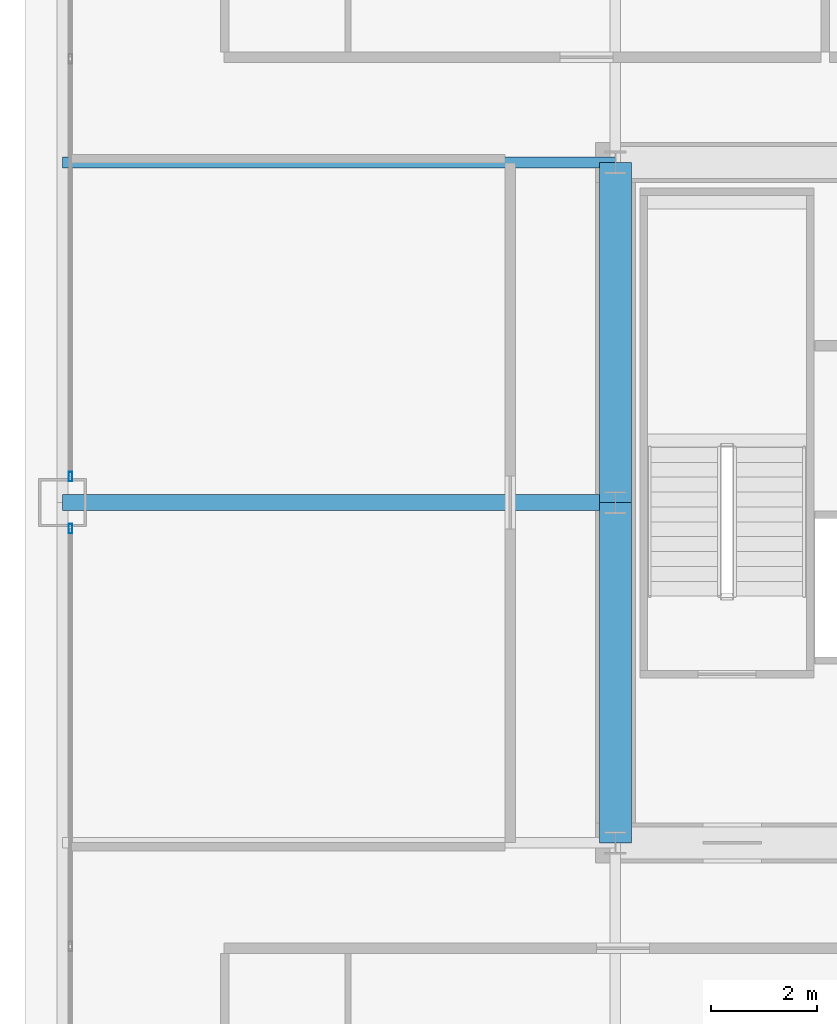
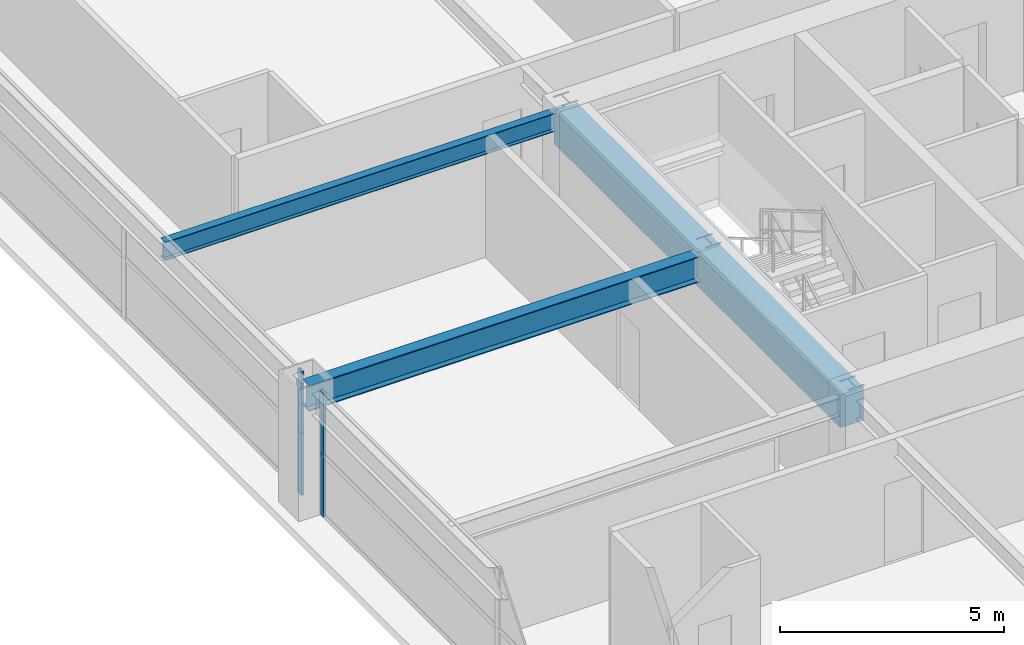
# One storey, part 11 of 37: 4 beams, 4 members, 2 elements without a shape of their own.
"""IFC4 building model written with IfcOpenShell, lengths in metres."""

from ifc_helpers import new_model, si_unit, direction, frame, origin, origin_2d, place, context, subcontext, project, spatial, rectangle, hollow_rectangle, i_section, extrude, source, transform, mapped, material, layer, layer_set, material_profile, profile_set, type_object, element, aggregate, save


model = new_model("IFC4")

# Units and contexts
model_context = context("Model", 3, precision=1e-05, world=origin(), true_north=direction((0.0, 1.0)))
body_context = subcontext(model_context, "Body", "Model", "MODEL_VIEW")
ifc_project = project(units=[si_unit("LENGTHUNIT", "METRE"), si_unit("AREAUNIT", "SQUARE_METRE"), si_unit("VOLUMEUNIT", "CUBIC_METRE"), si_unit("PLANEANGLEUNIT", "RADIAN"), si_unit("MASSUNIT", "GRAM", prefix="KILO"), si_unit("THERMODYNAMICTEMPERATUREUNIT", "KELVIN"), si_unit("POWERUNIT", "WATT")], contexts=[model_context])

# Site, building, storey
site_placement = place(None, origin())
site = spatial("IfcSite", under=ifc_project, at=site_placement, CompositionType="ELEMENT")
building_placement = place(site_placement, origin())
building = spatial("IfcBuilding", under=site, at=building_placement, Name="Yuzanri Waterfront Tower", CompositionType="ELEMENT")
storey_placement = place(building_placement, frame((0.0, 0.0, 104.60009765625)))
storey = spatial("IfcBuildingStorey", under=building, at=storey_placement, Name="L27", CompositionType="ELEMENT", Elevation=104.60009765625)

# Beams
ifc_material_1 = material(Name="Concrete C60", Category="concrete")
ifc_material_profile_1 = material_profile(ifc_material_1, rectangle(XDim=0.60009765625, YDim=0.89990234375, at=origin_2d()), Name="RC 600x900")
ifc_profile_set_1 = profile_set([ifc_material_profile_1], Name="Concrete C60")
beam_type_1 = type_object("IfcBeamType", Name="Core Coupling Lintel Concrete C60 600x900", PredefinedType="LINTEL", material=ifc_profile_set_1)
shared_shape_1 = source(origin(), body_context, "Body", "SweptSolid", [
    extrude(rectangle(XDim=0.60009765625, YDim=0.89990234375, at=origin_2d()), origin(), (0.0, 0.0, 1.0), 6.400146484375),
])
beam_1_placement = place(storey_placement, frame((23.800048828125, 19.39990234375, 2.929931640625), z_axis=(0.0, 1.0, 0.0), x_axis=(-1.0, 0.0, 0.0)))
element("IfcBeam", 1, at=beam_1_placement, inside=storey, type_object=beam_type_1, Name="L27 Core Tie Beam CW1", PredefinedType="LINTEL", context=body_context, shape_type="MappedRepresentation", body=[
    mapped(shared_shape_1, transform((0.0, 0.0, 0.0), scale=1.0)),
])
shared_shape_2 = source(origin(), body_context, "Body", "SweptSolid", [
    extrude(rectangle(XDim=0.60009765625, YDim=0.89990234375, at=origin_2d()), origin(), (0.0, 0.0, 1.0), 6.39990234375),
])
beam_2_placement = place(storey_placement, frame((23.800048828125, 25.800048828125, 2.929931640625), z_axis=(0.0, 1.0, 0.0), x_axis=(-1.0, 0.0, 0.0)))
element("IfcBeam", 2, at=beam_2_placement, inside=storey, type_object=beam_type_1, Name="L27 Core Tie Beam CW2", PredefinedType="LINTEL", context=body_context, shape_type="MappedRepresentation", body=[
    mapped(shared_shape_2, transform((0.0, 0.0, 0.0), scale=1.0)),
])
ifc_material_2 = material(Name="Steel Q355B", Category="steel")
ifc_material_profile_2 = material_profile(ifc_material_2, i_section(OverallWidth=0.300048828125, OverallDepth=0.699951171875, WebThickness=0.012939453125, FlangeThickness=0.02392578125, at=origin_2d()), Name="HN 700x300x13x24")
ifc_profile_set_2 = profile_set([ifc_material_profile_2], Name="Steel Q355B")
beam_type_2 = type_object("IfcBeamType", Name="Primary Floor Girder Q355B HN 700x300", PredefinedType="BEAM", material=ifc_profile_set_2)
shared_shape_3 = source(origin(), body_context, "Body", "SweptSolid", [
    extrude(i_section(OverallWidth=0.300048828125, OverallDepth=0.699951171875, WebThickness=0.012939453125, FlangeThickness=0.02392578125, at=origin_2d()), origin(), (0.0, 0.0, 1.0), 10.400146484375),
])
beam_3_placement = place(storey_placement, frame((23.800048828125, 25.800048828125, 3.02978515625), z_axis=(-1.0, 0.0, 0.0), x_axis=(0.0, -1.0, 0.0)))
element("IfcBeam", 3, at=beam_3_placement, inside=storey, type_object=beam_type_2, Name="L27 West Grid Girder", PredefinedType="BEAM", context=body_context, shape_type="MappedRepresentation", body=[
    mapped(shared_shape_3, transform((0.0, 0.0, 0.0), scale=1.0)),
])
ifc_material_3 = material(Name="Steel Q355B", Category="steel")
ifc_material_profile_3 = material_profile(ifc_material_3, i_section(OverallWidth=0.199951171875, OverallDepth=0.5, WebThickness=0.010009765625, FlangeThickness=0.01611328125, at=origin_2d()), Name="HN 500x200x10x16")
ifc_profile_set_3 = profile_set([ifc_material_profile_3], Name="Steel Q355B")
beam_type_3 = type_object("IfcBeamType", Name="Secondary Floor Beam Q355B HN 500x200", PredefinedType="BEAM", material=ifc_profile_set_3)
shared_shape_4 = source(origin(), body_context, "Body", "SweptSolid", [
    extrude(i_section(OverallWidth=0.199951171875, OverallDepth=0.5, WebThickness=0.010009765625, FlangeThickness=0.01611328125, at=origin_2d()), origin(), (0.0, 0.0, 1.0), 10.400146484375),
])
beam_4_placement = place(storey_placement, frame((23.800048828125, 32.199951171875, 3.1298828125), z_axis=(-1.0, 0.0, 0.0), x_axis=(0.0, -1.0, 0.0)))
element("IfcBeam", 4, at=beam_4_placement, inside=storey, type_object=beam_type_3, Name="L27 West-North Core Line Beam", PredefinedType="BEAM", context=body_context, shape_type="MappedRepresentation", body=[
    mapped(shared_shape_4, transform((0.0, 0.0, 0.0), scale=1.0)),
])

# Curtain wall, members
ifc_material_4 = material(Name="Anodized Architectural Bronze", Category="metal")
ifc_layer = layer(ifc_material_4, 0.159912109375)
ifc_layer_set = layer_set([ifc_layer], Name="Anodized Architectural Bronze")
curtain_wall_type = type_object("IfcCurtainWallType", Name="Anodized Bronze Hotel Upper-Tier Solar-Control Unitized Curtain Wall 7800", PredefinedType="NOTDEFINED", material=ifc_layer_set)
curtain_wall_1_placement = place(storey_placement, origin())
curtain_wall_1 = element("IfcCurtainWall", 5, at=curtain_wall_1_placement, inside=storey, type_object=curtain_wall_type, Name="L27 Curtain Wall CW-L27-WL", PredefinedType="NOTDEFINED")
ifc_material_5 = material(Name="Anodized Architectural Bronze", Category="metal")
ifc_material_profile_4 = material_profile(ifc_material_5, hollow_rectangle(XDim=0.070068359375, YDim=0.179931640625, WallThickness=0.00390625, at=origin_2d()), Name="CWM 70x180")
ifc_profile_set_4 = profile_set([ifc_material_profile_4], Name="Anodized Architectural Bronze")
member_type = type_object("IfcMemberType", Name="Anodized Bronze Standard Curtain-Wall Mullion 70x180", PredefinedType="MULLION", material=ifc_profile_set_4)
shared_shape_5 = source(origin(), body_context, "Body", "SweptSolid", [
    extrude(hollow_rectangle(XDim=0.070068359375, YDim=0.179931640625, WallThickness=0.00390625, at=origin_2d()), origin(), (0.0, 0.0, 1.0), 1.68798828125),
])
member_1_placement = place(storey_placement, frame((13.550048828125, 25.31005859375, 0.0), z_axis=(0.0, 0.0, 1.0), x_axis=(1.0, 0.0, 0.0)))
member_1 = element("IfcMember", 6, at=member_1_placement, type_object=member_type, Name="CW-L27-WL Lower Mullion 02", PredefinedType="MULLION", context=body_context, shape_type="MappedRepresentation", body=[
    mapped(shared_shape_5, transform((0.0, 0.0, 0.0), scale=1.0)),
])
member_2_placement = place(storey_placement, frame((13.550048828125, 25.31005859375, 1.69189453125), z_axis=(0.0, 0.0, 1.0), x_axis=(1.0, 0.0, 0.0)))
member_2 = element("IfcMember", 7, at=member_2_placement, type_object=member_type, Name="CW-L27-WL Upper Mullion 02", PredefinedType="MULLION", context=body_context, shape_type="MappedRepresentation", body=[
    mapped(shared_shape_5, transform((0.0, 0.0, 0.0), scale=1.0)),
])
aggregate(curtain_wall_1, [member_1, member_2])

curtain_wall_2_placement = place(storey_placement, origin())
curtain_wall_2 = element("IfcCurtainWall", 8, at=curtain_wall_2_placement, inside=storey, type_object=curtain_wall_type, Name="L27 Curtain Wall CW-L27-WR", PredefinedType="NOTDEFINED")
member_3_placement = place(storey_placement, frame((13.550048828125, 26.2900390625, 0.0), z_axis=(0.0, 0.0, 1.0), x_axis=(1.0, 0.0, 0.0)))
member_3 = element("IfcMember", 9, at=member_3_placement, type_object=member_type, Name="CW-L27-WR Lower Mullion 00", PredefinedType="MULLION", context=body_context, shape_type="MappedRepresentation", body=[
    mapped(shared_shape_5, transform((0.0, 0.0, 0.0), scale=1.0)),
])
member_4_placement = place(storey_placement, frame((13.550048828125, 26.2900390625, 1.69189453125), z_axis=(0.0, 0.0, 1.0), x_axis=(1.0, 0.0, 0.0)))
member_4 = element("IfcMember", 10, at=member_4_placement, type_object=member_type, Name="CW-L27-WR Upper Mullion 00", PredefinedType="MULLION", context=body_context, shape_type="MappedRepresentation", body=[
    mapped(shared_shape_5, transform((0.0, 0.0, 0.0), scale=1.0)),
])
aggregate(curtain_wall_2, [member_3, member_4])

save(model, "model.ifc")
